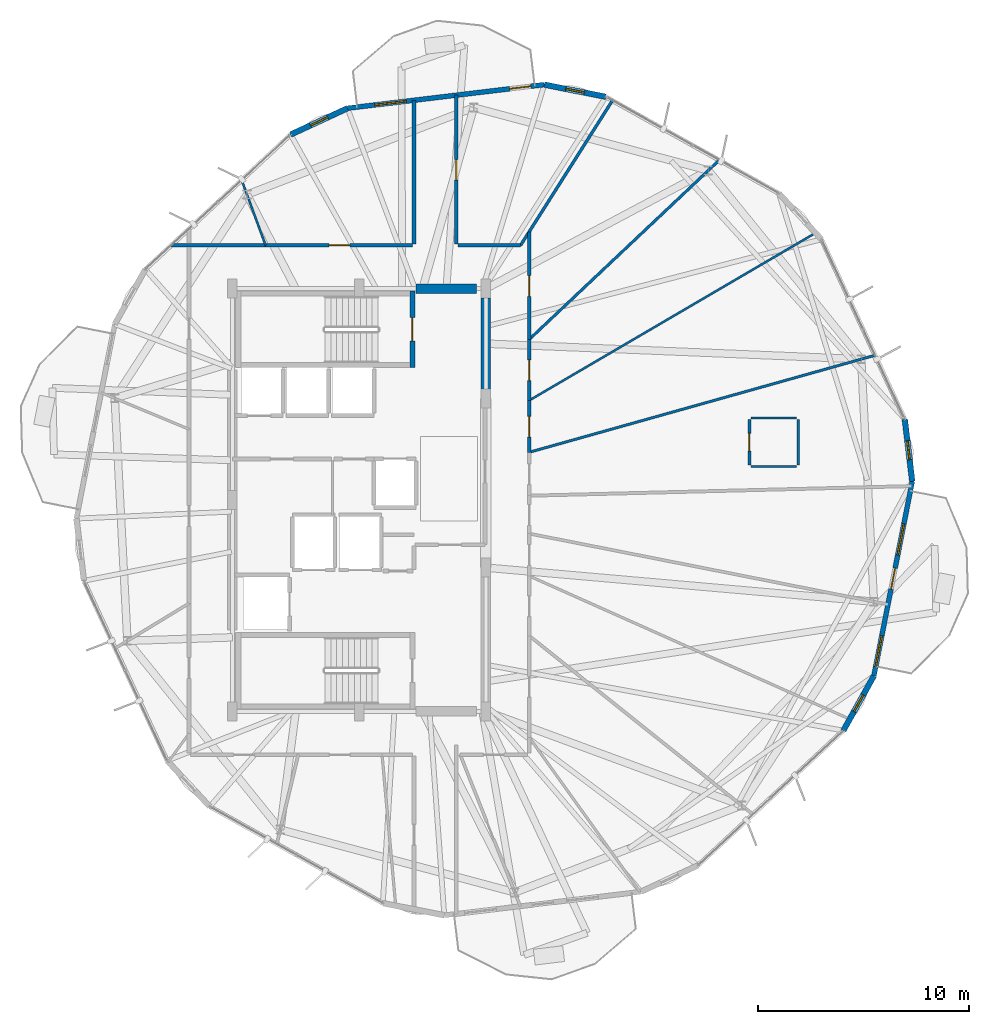
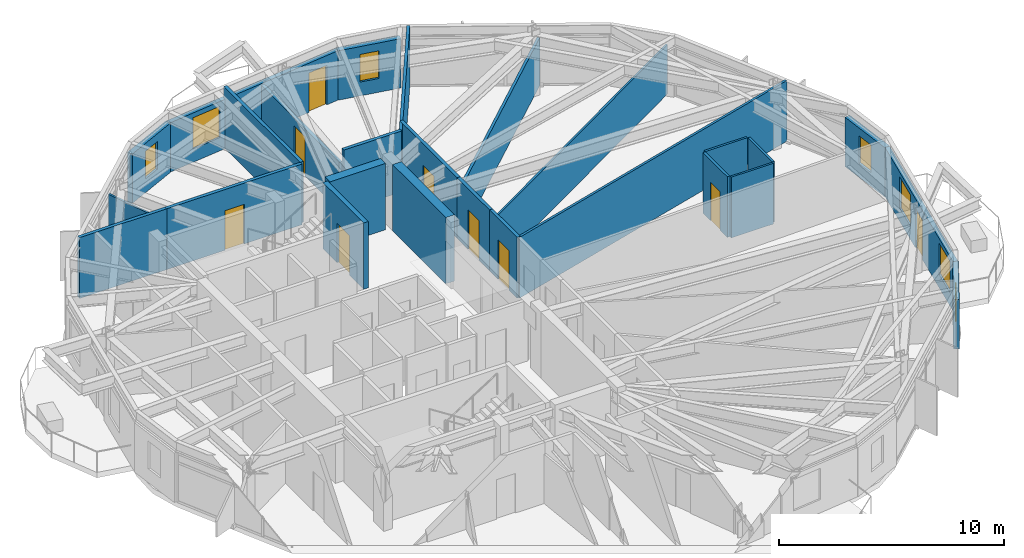
# One storey, part 21 of 25: 26 walls, 9 doors, 7 windows, 16 openings.
"""IFC4 building model written with IfcOpenShell, lengths in metres."""

from ifc_helpers import new_model, si_unit, direction, frame, frame_2d, origin, place, context, subcontext, project, spatial, rectangle, extrude, material, layer, layer_set, type_object, element, fill, save


model = new_model("IFC4")

# Units and contexts
model_context = context("Model", 3, precision=1e-05, world=origin(), true_north=direction((0.0, 1.0)))
body_context = subcontext(model_context, "Body", "Model", "MODEL_VIEW")
ifc_project = project(units=[si_unit("LENGTHUNIT", "METRE"), si_unit("AREAUNIT", "SQUARE_METRE"), si_unit("VOLUMEUNIT", "CUBIC_METRE"), si_unit("PLANEANGLEUNIT", "RADIAN"), si_unit("MASSUNIT", "GRAM", prefix="KILO")], contexts=[model_context])

# Site, building, storey
site_placement = place(None, origin())
site = spatial("IfcSite", under=ifc_project, at=site_placement, CompositionType="ELEMENT")
building_placement = place(site_placement, origin())
building = spatial("IfcBuilding", under=site, at=building_placement, Name="Soratama Intermodal Tower", CompositionType="ELEMENT")
storey_placement = place(building_placement, frame((0.0, 0.0, 190.60009765625)))
storey = spatial("IfcBuildingStorey", under=building, at=storey_placement, Name="L47", CompositionType="ELEMENT", Elevation=190.60009765625)

# Wall, openings, door, window
ifc_material_1 = material(Name="Concrete f'c 42 MPa", Category="concrete")
ifc_layer_1 = layer(ifc_material_1, 0.22998046875)
ifc_layer_set_1 = layer_set([ifc_layer_1], Name="Concrete f'c 42 MPa")
wall_type_1 = type_object("IfcWallType", Name="EW-BAL-230", PredefinedType="SOLIDWALL", material=ifc_layer_set_1)
wall_1_placement = place(storey_placement, frame((47.366455078125, 44.659423828125, 0.0), z_axis=(0.0, 0.0, 1.0), x_axis=(-0.992882132133, -0.119101098615, 0.0)))
wall_1 = element("IfcWall", 1, at=wall_1_placement, inside=storey, type_object=wall_type_1, Name="L47 Terrace Wall F02", PredefinedType="SOLIDWALL", context=body_context, shape_type="SweptSolid", body=[
    extrude(rectangle(XDim=9.38232421875, YDim=0.22998046875, at=frame_2d((4.691162109375, 0.0))), origin(), (0.0, 0.0, 1.0), 2.678955078125),
])
opening_1_placement = place(wall_1_placement, frame((0.64990234375, 0.0, 0.0)))
opening_1 = element("IfcOpeningElement", 2, at=opening_1_placement, cuts=wall_1, Name="Opening ED-2", PredefinedType="OPENING", context=body_context, shape_type="SweptSolid", body=[
    extrude(rectangle(XDim=1.0, YDim=2.14990234375, at=frame_2d((0.5, 1.074951171875))), frame((0.0, 0.125, 0.0), z_axis=(0.0, -1.0, 0.0), x_axis=(1.0, 0.0, 0.0)), (0.0, 0.0, 1.0), 0.25),
])
opening_2_placement = place(wall_1_placement, frame((6.58349609375, 0.0, 0.719970703125)))
opening_2 = element("IfcOpeningElement", 3, at=opening_2_placement, cuts=wall_1, Name="Opening WN-1", PredefinedType="OPENING", context=body_context, shape_type="SweptSolid", body=[
    extrude(rectangle(XDim=1.5, YDim=1.699951171875, at=frame_2d((0.75, 0.85009765625))), frame((0.0, 0.125, 0.0), z_axis=(0.0, -1.0, 0.0), x_axis=(1.0, 0.0, 0.0)), (0.0, 0.0, 1.0), 0.25),
])
ifc_material_2 = material(Name="Double-glazed aluminium door", Category="aluminium")
door_type_1 = type_object("IfcDoorType", Name="DR-BAL-1000", OperationType="NOTDEFINED", PredefinedType="DOOR", material=ifc_material_2)
door_1_placement = place(opening_1_placement, origin())
door_1 = element("IfcDoor", 4, at=door_1_placement, inside=storey, type_object=door_type_1, Name="L47 Balcony Door F02", OperationType="SINGLE_SWING_RIGHT", OverallHeight=2.14990234375, OverallWidth=1.0, PredefinedType="DOOR", context=body_context, shape_type="SweptSolid", body=[
    extrude(rectangle(XDim=1.0, YDim=2.14990234375, at=frame_2d((0.5, 1.074951171875))), frame((0.0, 0.02490234375, 0.0), z_axis=(0.0, -1.0, 0.0), x_axis=(1.0, 0.0, 0.0)), (0.0, 0.0, 1.0), 0.050048828125),
])
fill(opening_1, door_1)
ifc_material_3 = material(Name="Double-glazed aluminium window", Category="aluminium")
window_type_1 = type_object("IfcWindowType", Name="WN-FAC-1500", PartitioningType="SINGLE_PANEL", PredefinedType="WINDOW", material=ifc_material_3)
window_1_placement = place(opening_2_placement, origin())
window_1 = element("IfcWindow", 5, at=window_1_placement, inside=storey, type_object=window_type_1, Name="L47 Window B F02", OverallHeight=1.699951171875, OverallWidth=1.5, PartitioningType="SINGLE_PANEL", PredefinedType="WINDOW", context=body_context, shape_type="SweptSolid", body=[
    extrude(rectangle(XDim=1.5, YDim=1.699951171875, at=frame_2d((0.75, 0.85009765625))), frame((0.0, 0.030029296875, 0.0), z_axis=(0.0, -1.0, 0.0), x_axis=(1.0, 0.0, 0.0)), (0.0, 0.0, 1.0), 0.06005859375),
])
fill(opening_2, window_1)

# Wall, openings, door, windows
wall_2_placement = place(storey_placement, frame((62.966064453125, 16.67431640625, 0.0), z_axis=(0.0, 0.0, 1.0), x_axis=(0.193553277769, 0.981089765855, 0.0)))
wall_2 = element("IfcWall", 6, at=wall_2_placement, inside=storey, type_object=wall_type_1, Name="L47 Terrace Wall F09", PredefinedType="SOLIDWALL", context=body_context, shape_type="SweptSolid", body=[
    extrude(rectangle(XDim=9.382080078125, YDim=0.22998046875, at=frame_2d((4.69091796875, 0.0))), origin(), (0.0, 0.0, 1.0), 2.678955078125),
])
opening_3_placement = place(wall_2_placement, frame((4.191162109375, 0.0, 0.0)))
opening_3 = element("IfcOpeningElement", 7, at=opening_3_placement, cuts=wall_2, Name="Opening ED-2", PredefinedType="OPENING", context=body_context, shape_type="SweptSolid", body=[
    extrude(rectangle(XDim=1.0, YDim=2.14990234375, at=frame_2d((0.5, 1.074951171875))), frame((0.0, 0.125, 0.0), z_axis=(0.0, -1.0, 0.0), x_axis=(1.0, 0.0, 0.0)), (0.0, 0.0, 1.0), 0.25),
])
opening_4_placement = place(wall_2_placement, frame((0.43994140625, 0.0, 0.719970703125)))
opening_4 = element("IfcOpeningElement", 8, at=opening_4_placement, cuts=wall_2, Name="Opening WN-1", PredefinedType="OPENING", context=body_context, shape_type="SweptSolid", body=[
    extrude(rectangle(XDim=1.5, YDim=1.699951171875, at=frame_2d((0.75, 0.85009765625))), frame((0.0, 0.125, 0.0), z_axis=(0.0, -1.0, 0.0), x_axis=(1.0, 0.0, 0.0)), (0.0, 0.0, 1.0), 0.25),
])
opening_5_placement = place(wall_2_placement, frame((5.8310546875, 0.0, 0.719970703125)))
opening_5 = element("IfcOpeningElement", 9, at=opening_5_placement, cuts=wall_2, Name="Opening WN-1", PredefinedType="OPENING", context=body_context, shape_type="SweptSolid", body=[
    extrude(rectangle(XDim=1.5, YDim=1.699951171875, at=frame_2d((0.75, 0.85009765625))), frame((0.0, 0.125, 0.0), z_axis=(0.0, -1.0, 0.0), x_axis=(1.0, 0.0, 0.0)), (0.0, 0.0, 1.0), 0.25),
])
door_2_placement = place(opening_3_placement, origin())
door_2 = element("IfcDoor", 10, at=door_2_placement, inside=storey, type_object=door_type_1, Name="L47 Balcony Door F09", OperationType="SINGLE_SWING_LEFT", OverallHeight=2.14990234375, OverallWidth=1.0, PredefinedType="DOOR", context=body_context, shape_type="SweptSolid", body=[
    extrude(rectangle(XDim=1.0, YDim=2.14990234375, at=frame_2d((0.5, 1.074951171875))), frame((0.0, 0.02490234375, 0.0), z_axis=(0.0, -1.0, 0.0), x_axis=(1.0, 0.0, 0.0)), (0.0, 0.0, 1.0), 0.050048828125),
])
fill(opening_3, door_2)
window_2_placement = place(opening_4_placement, origin())
window_2 = element("IfcWindow", 11, at=window_2_placement, inside=storey, type_object=window_type_1, Name="L47 Window A F09", OverallHeight=1.699951171875, OverallWidth=1.5, PartitioningType="SINGLE_PANEL", PredefinedType="WINDOW", context=body_context, shape_type="SweptSolid", body=[
    extrude(rectangle(XDim=1.5, YDim=1.699951171875, at=frame_2d((0.75, 0.85009765625))), frame((0.0, 0.030029296875, 0.0), z_axis=(0.0, -1.0, 0.0), x_axis=(1.0, 0.0, 0.0)), (0.0, 0.0, 1.0), 0.06005859375),
])
fill(opening_4, window_2)
window_3_placement = place(opening_5_placement, origin())
window_3 = element("IfcWindow", 12, at=window_3_placement, inside=storey, type_object=window_type_1, Name="L47 Window B F09", OverallHeight=1.699951171875, OverallWidth=1.5, PartitioningType="SINGLE_PANEL", PredefinedType="WINDOW", context=body_context, shape_type="SweptSolid", body=[
    extrude(rectangle(XDim=1.5, YDim=1.699951171875, at=frame_2d((0.75, 0.85009765625))), frame((0.0, 0.030029296875, 0.0), z_axis=(0.0, -1.0, 0.0), x_axis=(1.0, 0.0, 0.0)), (0.0, 0.0, 1.0), 0.06005859375),
])
fill(opening_5, window_3)

# Wall, opening, window
ifc_material_4 = material(Name="Concrete f'c 42 MPa", Category="concrete")
ifc_layer_2 = layer(ifc_material_4, 0.27001953125)
ifc_layer_set_2 = layer_set([ifc_layer_2], Name="Concrete f'c 42 MPa")
wall_type_2 = type_object("IfcWallType", Name="EW-CRN-270", PredefinedType="SOLIDWALL", material=ifc_layer_set_2)
wall_3_placement = place(storey_placement, frame((50.277099609375, 44.085205078125, 0.0), z_axis=(0.0, 0.0, 1.0), x_axis=(-0.981090069254, 0.193551739883, 0.0)))
wall_3 = element("IfcWall", 13, at=wall_3_placement, inside=storey, type_object=wall_type_2, Name="L47 Corner Closure Wall 01", PredefinedType="SOLIDWALL", context=body_context, shape_type="SweptSolid", body=[
    extrude(rectangle(XDim=2.966796875, YDim=0.27001953125, at=frame_2d((1.4833984375, 0.0))), origin(), (0.0, 0.0, 1.0), 2.678955078125),
])
opening_6_placement = place(wall_3_placement, frame((1.033203125, 0.0, 0.75)))
opening_6 = element("IfcOpeningElement", 14, at=opening_6_placement, cuts=wall_3, Name="Opening WN-6", PredefinedType="OPENING", context=body_context, shape_type="SweptSolid", body=[
    extrude(rectangle(XDim=0.89990234375, YDim=1.5, at=frame_2d((0.449951171875, 0.75))), frame((0.0, 0.14501953125, 0.0), z_axis=(0.0, -1.0, 0.0), x_axis=(1.0, 0.0, 0.0)), (0.0, 0.0, 1.0), 0.2900390625),
])
ifc_material_5 = material(Name="Double-glazed aluminium window", Category="aluminium")
window_type_2 = type_object("IfcWindowType", Name="WN-FAC-900", PartitioningType="SINGLE_PANEL", PredefinedType="WINDOW", material=ifc_material_5)
window_4_placement = place(opening_6_placement, origin())
window_4 = element("IfcWindow", 15, at=window_4_placement, inside=storey, type_object=window_type_2, Name="L47 Corner Window 01", OverallHeight=1.5, OverallWidth=0.89990234375, PartitioningType="SINGLE_PANEL", PredefinedType="WINDOW", context=body_context, shape_type="SweptSolid", body=[
    extrude(rectangle(XDim=0.89990234375, YDim=1.5, at=frame_2d((0.449951171875, 0.75))), frame((0.0, 0.030029296875, 0.0), z_axis=(0.0, -1.0, 0.0), x_axis=(1.0, 0.0, 0.0)), (0.0, 0.0, 1.0), 0.06005859375),
])
fill(opening_6, window_4)

wall_4_placement = place(storey_placement, frame((38.051025390625, 43.5419921875, 0.0), z_axis=(0.0, 0.0, 1.0), x_axis=(-0.907501185291, -0.420049519337, 0.0)))
wall_4 = element("IfcWall", 16, at=wall_4_placement, inside=storey, type_object=wall_type_2, Name="L47 Corner Closure Wall 02", PredefinedType="SOLIDWALL", context=body_context, shape_type="SweptSolid", body=[
    extrude(rectangle(XDim=2.966552734375, YDim=0.27001953125, at=frame_2d((1.4833984375, 0.0))), origin(), (0.0, 0.0, 1.0), 2.678955078125),
])
opening_7_placement = place(wall_4_placement, frame((1.033203125, 0.0, 0.75)))
opening_7 = element("IfcOpeningElement", 17, at=opening_7_placement, cuts=wall_4, Name="Opening WN-6", PredefinedType="OPENING", context=body_context, shape_type="SweptSolid", body=[
    extrude(rectangle(XDim=0.89990234375, YDim=1.5, at=frame_2d((0.449951171875, 0.75))), frame((0.0, 0.14501953125, 0.0), z_axis=(0.0, -1.0, 0.0), x_axis=(1.0, 0.0, 0.0)), (0.0, 0.0, 1.0), 0.2900390625),
])
window_5_placement = place(opening_7_placement, origin())
window_5 = element("IfcWindow", 18, at=window_5_placement, inside=storey, type_object=window_type_2, Name="L47 Corner Window 02", OverallHeight=1.5, OverallWidth=0.89990234375, PartitioningType="SINGLE_PANEL", PredefinedType="WINDOW", context=body_context, shape_type="SweptSolid", body=[
    extrude(rectangle(XDim=0.89990234375, YDim=1.5, at=frame_2d((0.449951171875, 0.75))), frame((0.0, 0.030029296875, 0.0), z_axis=(0.0, -1.0, 0.0), x_axis=(1.0, 0.0, 0.0)), (0.0, 0.0, 1.0), 0.06005859375),
])
fill(opening_7, window_5)

wall_5_placement = place(storey_placement, frame((61.5205078125, 14.08349609375, 0.0), z_axis=(0.0, 0.0, 1.0), x_axis=(0.48724212473, 0.87326691904, 0.0)))
wall_5 = element("IfcWall", 19, at=wall_5_placement, inside=storey, type_object=wall_type_2, Name="L47 Corner Closure Wall 08", PredefinedType="SOLIDWALL", context=body_context, shape_type="SweptSolid", body=[
    extrude(rectangle(XDim=2.966796875, YDim=0.27001953125, at=frame_2d((1.4833984375, 0.0))), origin(), (0.0, 0.0, 1.0), 2.678955078125),
])
opening_8_placement = place(wall_5_placement, frame((1.033203125, 0.0, 0.75)))
opening_8 = element("IfcOpeningElement", 20, at=opening_8_placement, cuts=wall_5, Name="Opening WN-6", PredefinedType="OPENING", context=body_context, shape_type="SweptSolid", body=[
    extrude(rectangle(XDim=0.89990234375, YDim=1.5, at=frame_2d((0.449951171875, 0.75))), frame((0.0, 0.14501953125, 0.0), z_axis=(0.0, -1.0, 0.0), x_axis=(1.0, 0.0, 0.0)), (0.0, 0.0, 1.0), 0.2900390625),
])
window_6_placement = place(opening_8_placement, origin())
window_6 = element("IfcWindow", 21, at=window_6_placement, inside=storey, type_object=window_type_2, Name="L47 Corner Window 08", OverallHeight=1.5, OverallWidth=0.89990234375, PartitioningType="SINGLE_PANEL", PredefinedType="WINDOW", context=body_context, shape_type="SweptSolid", body=[
    extrude(rectangle(XDim=0.89990234375, YDim=1.5, at=frame_2d((0.449951171875, 0.75))), frame((0.0, 0.030029296875, 0.0), z_axis=(0.0, -1.0, 0.0), x_axis=(1.0, 0.0, 0.0)), (0.0, 0.0, 1.0), 0.06005859375),
])
fill(opening_8, window_6)

wall_6_placement = place(storey_placement, frame((64.781982421875, 25.87890625, 0.0), z_axis=(0.0, 0.0, 1.0), x_axis=(-0.119080319242, 0.9928846245, 0.0)))
wall_6 = element("IfcWall", 22, at=wall_6_placement, inside=storey, type_object=wall_type_2, Name="L47 Corner Closure Wall 09", PredefinedType="SOLIDWALL", context=body_context, shape_type="SweptSolid", body=[
    extrude(rectangle(XDim=2.966552734375, YDim=0.27001953125, at=frame_2d((1.4833984375, 0.0))), origin(), (0.0, 0.0, 1.0), 2.678955078125),
])
opening_9_placement = place(wall_6_placement, frame((1.033203125, 0.0, 0.75)))
opening_9 = element("IfcOpeningElement", 23, at=opening_9_placement, cuts=wall_6, Name="Opening WN-6", PredefinedType="OPENING", context=body_context, shape_type="SweptSolid", body=[
    extrude(rectangle(XDim=0.89990234375, YDim=1.5, at=frame_2d((0.449951171875, 0.75))), frame((0.0, 0.14501953125, 0.0), z_axis=(0.0, -1.0, 0.0), x_axis=(1.0, 0.0, 0.0)), (0.0, 0.0, 1.0), 0.2900390625),
])
window_7_placement = place(opening_9_placement, origin())
window_7 = element("IfcWindow", 24, at=window_7_placement, inside=storey, type_object=window_type_2, Name="L47 Corner Window 09", OverallHeight=1.5, OverallWidth=0.89990234375, PartitioningType="SINGLE_PANEL", PredefinedType="WINDOW", context=body_context, shape_type="SweptSolid", body=[
    extrude(rectangle(XDim=0.89990234375, YDim=1.5, at=frame_2d((0.449951171875, 0.75))), frame((0.0, 0.030029296875, 0.0), z_axis=(0.0, -1.0, 0.0), x_axis=(1.0, 0.0, 0.0)), (0.0, 0.0, 1.0), 0.06005859375),
])
fill(opening_9, window_7)

# Wall, opening, door
ifc_material_6 = material(Name="Fire-rated gypsum stud partition", Category="concrete")
ifc_layer_3 = layer(ifc_material_6, 0.169921875)
ifc_layer_set_3 = layer_set([ifc_layer_3], Name="Fire-rated gypsum stud partition")
wall_type_3 = type_object("IfcWallType", Name="IW-PART-R170", PredefinedType="PARTITIONING", material=ifc_layer_set_3)
wall_7_placement = place(storey_placement, frame((43.199951171875, 44.159912109375, 0.0), z_axis=(0.0, 0.0, 1.0), x_axis=(0.0, -1.0, 0.0)))
wall_7 = element("IfcWall", 25, at=wall_7_placement, inside=storey, type_object=wall_type_3, Name="L47 Partition W-L47-TP015", PredefinedType="PARTITIONING", context=body_context, shape_type="SweptSolid", body=[
    extrude(rectangle(XDim=7.039794921875, YDim=0.169921875, at=frame_2d((3.52001953125, 0.0))), origin(), (0.0, 0.0, 1.0), 2.594970703125),
])
opening_10_placement = place(wall_7_placement, frame((3.044921875, 0.0, 0.0)))
opening_10 = element("IfcOpeningElement", 26, at=opening_10_placement, cuts=wall_7, Name="Opening ID-5", PredefinedType="OPENING", context=body_context, shape_type="SweptSolid", body=[
    extrude(rectangle(XDim=0.97998046875, YDim=2.14990234375, at=frame_2d((0.489990234375, 1.074951171875))), frame((0.0, 0.094970703125, 0.0), z_axis=(0.0, -1.0, 0.0), x_axis=(1.0, 0.0, 0.0)), (0.0, 0.0, 1.0), 0.18994140625),
])
ifc_material_7 = material(Name="Solid hardwood acoustic door", Category="wood")
door_type_2 = type_object("IfcDoorType", Name="DR-OFF-980", OperationType="NOTDEFINED", PredefinedType="DOOR", material=ifc_material_7)
door_3_placement = place(opening_10_placement, origin())
door_3 = element("IfcDoor", 27, at=door_3_placement, inside=storey, type_object=door_type_2, Name="L47 Door D-L47-TP004", OperationType="SINGLE_SWING_LEFT", OverallHeight=2.14990234375, OverallWidth=0.97998046875, PredefinedType="DOOR", context=body_context, shape_type="SweptSolid", body=[
    extrude(rectangle(XDim=0.97998046875, YDim=2.14990234375, at=frame_2d((0.489990234375, 1.074951171875))), frame((0.0, 0.02490234375, 0.0), z_axis=(0.0, -1.0, 0.0), x_axis=(1.0, 0.0, 0.0)), (0.0, 0.0, 1.0), 0.050048828125),
])
fill(opening_10, door_3)

wall_8_placement = place(storey_placement, frame((34.177978515625, 37.050048828125, 0.0), z_axis=(0.0, 0.0, 1.0), x_axis=(1.0, 0.0, 0.0)))
wall_8 = element("IfcWall", 28, at=wall_8_placement, inside=storey, type_object=wall_type_3, Name="L47 Partition W-L47-TP016", PredefinedType="PARTITIONING", context=body_context, shape_type="SweptSolid", body=[
    extrude(rectangle(XDim=6.951904296875, YDim=0.169921875, at=frame_2d((3.47607421875, 0.0))), origin(), (0.0, 0.0, 1.0), 3.2998046875),
])
opening_11_placement = place(wall_8_placement, frame((3.0009765625, 0.0, 0.0)))
opening_11 = element("IfcOpeningElement", 29, at=opening_11_placement, cuts=wall_8, Name="Opening ID-5", PredefinedType="OPENING", context=body_context, shape_type="SweptSolid", body=[
    extrude(rectangle(XDim=0.97998046875, YDim=2.14990234375, at=frame_2d((0.489990234375, 1.074951171875))), frame((0.0, 0.094970703125, 0.0), z_axis=(0.0, -1.0, 0.0), x_axis=(1.0, 0.0, 0.0)), (0.0, 0.0, 1.0), 0.18994140625),
])
door_4_placement = place(opening_11_placement, origin())
door_4 = element("IfcDoor", 30, at=door_4_placement, inside=storey, type_object=door_type_2, Name="L47 Door D-L47-TP005", OperationType="SINGLE_SWING_RIGHT", OverallHeight=2.14990234375, OverallWidth=0.97998046875, PredefinedType="DOOR", context=body_context, shape_type="SweptSolid", body=[
    extrude(rectangle(XDim=0.97998046875, YDim=2.14990234375, at=frame_2d((0.489990234375, 1.074951171875))), frame((0.0, 0.02490234375, 0.0), z_axis=(0.0, -1.0, 0.0), x_axis=(1.0, 0.0, 0.0)), (0.0, 0.0, 1.0), 0.050048828125),
])
fill(opening_11, door_4)

# Wall
wall_9_placement = place(storey_placement, frame((41.199951171875, 37.1201171875, 0.0), z_axis=(0.0, 0.0, 1.0), x_axis=(0.0, 1.0, 0.0)))
element("IfcWall", 31, at=wall_9_placement, inside=storey, type_object=wall_type_3, Name="L47 Partition W-L47-TP018", PredefinedType="PARTITIONING", context=body_context, shape_type="SweptSolid", body=[
    extrude(rectangle(XDim=6.7998046875, YDim=0.169921875, at=frame_2d((3.39990234375, 0.0))), origin(), (0.0, 0.0, 1.0), 3.2998046875),
])

# Wall, opening, door
wall_10_placement = place(storey_placement, frame((46.64990234375, 37.695068359375, 0.0), z_axis=(0.0, 0.0, 1.0), x_axis=(0.0, -1.0, 0.0)))
wall_10 = element("IfcWall", 32, at=wall_10_placement, inside=storey, type_object=wall_type_3, Name="L47 Partition W-L47-TP021", PredefinedType="PARTITIONING", context=body_context, shape_type="SweptSolid", body=[
    extrude(rectangle(XDim=5.09814453125, YDim=0.169921875, at=frame_2d((2.549072265625, 0.0))), origin(), (0.0, 0.0, 1.0), 3.2998046875),
])
opening_12_placement = place(wall_10_placement, frame((2.073974609375, 0.0, 0.0)))
opening_12 = element("IfcOpeningElement", 33, at=opening_12_placement, cuts=wall_10, Name="Opening ID-5", PredefinedType="OPENING", context=body_context, shape_type="SweptSolid", body=[
    extrude(rectangle(XDim=0.97998046875, YDim=2.14990234375, at=frame_2d((0.489990234375, 1.074951171875))), frame((0.0, 0.094970703125, 0.0), z_axis=(0.0, -1.0, 0.0), x_axis=(1.0, 0.0, 0.0)), (0.0, 0.0, 1.0), 0.18994140625),
])
door_5_placement = place(opening_12_placement, origin())
door_5 = element("IfcDoor", 34, at=door_5_placement, inside=storey, type_object=door_type_2, Name="L47 Door D-L47-TP009", OperationType="SINGLE_SWING_RIGHT", OverallHeight=2.14990234375, OverallWidth=0.97998046875, PredefinedType="DOOR", context=body_context, shape_type="SweptSolid", body=[
    extrude(rectangle(XDim=0.97998046875, YDim=2.14990234375, at=frame_2d((0.489990234375, 1.074951171875))), frame((0.0, 0.02490234375, 0.0), z_axis=(0.0, -1.0, 0.0), x_axis=(1.0, 0.0, 0.0)), (0.0, 0.0, 1.0), 0.050048828125),
])
fill(opening_12, door_5)

# Walls
wall_11_placement = place(storey_placement, frame((29.701904296875, 37.050048828125, 0.0), z_axis=(0.0, 0.0, 1.0), x_axis=(1.0, 0.0, 0.0)))
element("IfcWall", 35, at=wall_11_placement, inside=storey, type_object=wall_type_3, Name="L47 Partition W-L47-TP025", PredefinedType="PARTITIONING", context=body_context, shape_type="SweptSolid", body=[
    extrude(rectangle(XDim=4.47607421875, YDim=0.169921875, at=frame_2d((2.238037109375, 0.0))), origin(), (0.0, 0.0, 1.0), 3.2998046875),
])
wall_12_placement = place(storey_placement, frame((43.27001953125, 37.050048828125, 0.0), z_axis=(0.0, 0.0, 1.0), x_axis=(1.0, 0.0, 0.0)))
element("IfcWall", 36, at=wall_12_placement, inside=storey, type_object=wall_type_3, Name="L47 Partition W-L47-TP032", PredefinedType="PARTITIONING", context=body_context, shape_type="SweptSolid", body=[
    extrude(rectangle(XDim=2.970947265625, YDim=0.169921875, at=frame_2d((1.4853515625, 0.0))), origin(), (0.0, 0.0, 1.0), 3.2998046875),
])

# Wall, opening, door
wall_13_placement = place(storey_placement, frame((46.64990234375, 32.596923828125, 0.0), z_axis=(0.0, 0.0, 1.0), x_axis=(0.0, -1.0, 0.0)))
wall_13 = element("IfcWall", 37, at=wall_13_placement, inside=storey, type_object=wall_type_3, Name="L47 Partition W-L47-TP033", PredefinedType="PARTITIONING", context=body_context, shape_type="SweptSolid", body=[
    extrude(rectangle(XDim=2.885986328125, YDim=0.169921875, at=frame_2d((1.44287109375, 0.0))), origin(), (0.0, 0.0, 1.0), 3.2998046875),
])
opening_13_placement = place(wall_13_placement, frame((0.968017578125, 0.0, 0.0)))
opening_13 = element("IfcOpeningElement", 38, at=opening_13_placement, cuts=wall_13, Name="Opening ID-5", PredefinedType="OPENING", context=body_context, shape_type="SweptSolid", body=[
    extrude(rectangle(XDim=0.97998046875, YDim=2.14990234375, at=frame_2d((0.489990234375, 1.074951171875))), frame((0.0, 0.094970703125, 0.0), z_axis=(0.0, -1.0, 0.0), x_axis=(1.0, 0.0, 0.0)), (0.0, 0.0, 1.0), 0.18994140625),
])
door_6_placement = place(opening_13_placement, origin())
door_6 = element("IfcDoor", 39, at=door_6_placement, inside=storey, type_object=door_type_2, Name="L47 Door D-L47-TP015", OperationType="SINGLE_SWING_RIGHT", OverallHeight=2.14990234375, OverallWidth=0.97998046875, PredefinedType="DOOR", context=body_context, shape_type="SweptSolid", body=[
    extrude(rectangle(XDim=0.97998046875, YDim=2.14990234375, at=frame_2d((0.489990234375, 1.074951171875))), frame((0.0, 0.02490234375, 0.0), z_axis=(0.0, -1.0, 0.0), x_axis=(1.0, 0.0, 0.0)), (0.0, 0.0, 1.0), 0.050048828125),
])
fill(opening_13, door_6)

wall_14_placement = place(storey_placement, frame((46.64990234375, 29.7109375, 0.0), z_axis=(0.0, 0.0, 1.0), x_axis=(0.0, -1.0, 0.0)))
wall_14 = element("IfcWall", 40, at=wall_14_placement, inside=storey, type_object=wall_type_3, Name="L47 Partition W-L47-TP036", PredefinedType="PARTITIONING", context=body_context, shape_type="SweptSolid", body=[
    extrude(rectangle(XDim=2.452880859375, YDim=0.169921875, at=frame_2d((1.2265625, 0.0))), origin(), (0.0, 0.0, 1.0), 3.2998046875),
])
opening_14_placement = place(wall_14_placement, frame((0.7509765625, 0.0, 0.0)))
opening_14 = element("IfcOpeningElement", 41, at=opening_14_placement, cuts=wall_14, Name="Opening ID-5", PredefinedType="OPENING", context=body_context, shape_type="SweptSolid", body=[
    extrude(rectangle(XDim=0.97998046875, YDim=2.14990234375, at=frame_2d((0.489990234375, 1.074951171875))), frame((0.0, 0.094970703125, 0.0), z_axis=(0.0, -1.0, 0.0), x_axis=(1.0, 0.0, 0.0)), (0.0, 0.0, 1.0), 0.18994140625),
])
door_7_placement = place(opening_14_placement, origin())
door_7 = element("IfcDoor", 42, at=door_7_placement, inside=storey, type_object=door_type_2, Name="L47 Door D-L47-TP017", OperationType="SINGLE_SWING_RIGHT", OverallHeight=2.14990234375, OverallWidth=0.97998046875, PredefinedType="DOOR", context=body_context, shape_type="SweptSolid", body=[
    extrude(rectangle(XDim=0.97998046875, YDim=2.14990234375, at=frame_2d((0.489990234375, 1.074951171875))), frame((0.0, 0.02490234375, 0.0), z_axis=(0.0, -1.0, 0.0), x_axis=(1.0, 0.0, 0.0)), (0.0, 0.0, 1.0), 0.050048828125),
])
fill(opening_14, door_7)

# Walls
ifc_material_8 = material(Name="Fire-rated gypsum stud partition", Category="concrete")
ifc_layer_4 = layer(ifc_material_8, 0.10009765625)
ifc_layer_set_4 = layer_set([ifc_layer_4], Name="Fire-rated gypsum stud partition")
wall_type_4 = type_object("IfcWallType", Name="IW-PART-S100", PredefinedType="PARTITIONING", material=ifc_layer_set_4)
wall_15_placement = place(storey_placement, frame((46.64990234375, 29.7109375, 0.0), z_axis=(0.0, 0.0, 1.0), x_axis=(0.863122930512, 0.504993868106, 0.0)))
element("IfcWall", 43, at=wall_15_placement, inside=storey, type_object=wall_type_4, Name="L47 Partition W-L47-TP005", PredefinedType="PARTITIONING", context=body_context, shape_type="SweptSolid", body=[
    extrude(rectangle(XDim=15.770751953125, YDim=0.10009765625, at=frame_2d((7.88525390625, 0.0))), origin(), (0.0, 0.0, 1.0), 2.677978515625),
])
wall_16_placement = place(storey_placement, frame((34.177978515625, 37.050048828125, 0.0), z_axis=(0.0, 0.0, 1.0), x_axis=(-0.344730941126, 0.938701538419, 0.0)))
element("IfcWall", 44, at=wall_16_placement, inside=storey, type_object=wall_type_4, Name="L47 Partition W-L47-TP030", PredefinedType="PARTITIONING", context=body_context, shape_type="SweptSolid", body=[
    extrude(rectangle(XDim=3.298095703125, YDim=0.10009765625, at=frame_2d((1.64892578125, 0.0))), origin(), (0.0, 0.0, 1.0), 2.594970703125),
])
wall_17_placement = place(storey_placement, frame((57.14599609375, 26.583984375, 0.0), z_axis=(0.0, 0.0, 1.0), x_axis=(1.0, 0.0, 0.0)))
element("IfcWall", 45, at=wall_17_placement, inside=storey, type_object=wall_type_4, Name="L47 Partition W-L47-TP040", PredefinedType="PARTITIONING", context=body_context, shape_type="SweptSolid", body=[
    extrude(rectangle(XDim=2.159912109375, YDim=0.10009765625, at=frame_2d((1.080078125, 0.0))), origin(), (0.0, 0.0, 1.0), 3.2998046875),
])
ifc_material_9 = material(Name="Fire-rated gypsum stud partition", Category="concrete")
ifc_layer_5 = layer(ifc_material_9, 0.110107421875)
ifc_layer_set_5 = layer_set([ifc_layer_5], Name="Fire-rated gypsum stud partition")
wall_type_5 = type_object("IfcWallType", Name="IW-PART-S110", PredefinedType="PARTITIONING", material=ifc_layer_set_5)
wall_18_placement = place(storey_placement, frame((59.305908203125, 28.884033203125, 0.0), z_axis=(0.0, 0.0, 1.0), x_axis=(-1.0, 0.0, 0.0)))
element("IfcWall", 46, at=wall_18_placement, inside=storey, type_object=wall_type_5, Name="L47 Partition W-L47-TP039", PredefinedType="PARTITIONING", context=body_context, shape_type="SweptSolid", body=[
    extrude(rectangle(XDim=2.159912109375, YDim=0.110107421875, at=frame_2d((1.080078125, 0.0))), origin(), (0.0, 0.0, 1.0), 3.2998046875),
])
ifc_material_10 = material(Name="Fire-rated gypsum stud partition", Category="concrete")
ifc_layer_6 = layer(ifc_material_10, 0.1201171875)
ifc_layer_set_6 = layer_set([ifc_layer_6], Name="Fire-rated gypsum stud partition")
wall_type_6 = type_object("IfcWallType", Name="IW-PART-S120", PredefinedType="PARTITIONING", material=ifc_layer_set_6)
wall_19_placement = place(storey_placement, frame((46.64990234375, 27.258056640625, 0.0), z_axis=(0.0, 0.0, 1.0), x_axis=(0.962850938161, 0.270033462525, 0.0)))
element("IfcWall", 47, at=wall_19_placement, inside=storey, type_object=wall_type_6, Name="L47 Partition W-L47-TP003", PredefinedType="PARTITIONING", context=body_context, shape_type="SweptSolid", body=[
    extrude(rectangle(XDim=17.009033203125, YDim=0.1201171875, at=frame_2d((8.50439453125, 0.0))), origin(), (0.0, 0.0, 1.0), 3.2998046875),
])
wall_20_placement = place(storey_placement, frame((59.3759765625, 26.654052734375, 0.0), z_axis=(0.0, 0.0, 1.0), x_axis=(0.0, 1.0, 0.0)))
element("IfcWall", 48, at=wall_20_placement, inside=storey, type_object=wall_type_6, Name="L47 Partition W-L47-TP038", PredefinedType="PARTITIONING", context=body_context, shape_type="SweptSolid", body=[
    extrude(rectangle(XDim=2.159912109375, YDim=0.1201171875, at=frame_2d((1.080078125, 0.0))), origin(), (0.0, 0.0, 1.0), 3.2998046875),
])
ifc_material_11 = material(Name="Fire-rated gypsum stud partition", Category="concrete")
ifc_layer_7 = layer(ifc_material_11, 0.1298828125)
ifc_layer_set_7 = layer_set([ifc_layer_7], Name="Fire-rated gypsum stud partition")
wall_type_7 = type_object("IfcWallType", Name="IW-PART-S130", PredefinedType="PARTITIONING", material=ifc_layer_set_7)
wall_21_placement = place(storey_placement, frame((46.64990234375, 32.596923828125, 0.0), z_axis=(0.0, 0.0, 1.0), x_axis=(0.727340314182, 0.686276961121, 0.0)))
element("IfcWall", 49, at=wall_21_placement, inside=storey, type_object=wall_type_7, Name="L47 Partition W-L47-TP007", PredefinedType="PARTITIONING", context=body_context, shape_type="SweptSolid", body=[
    extrude(rectangle(XDim=12.37255859375, YDim=0.1298828125, at=frame_2d((6.186279296875, 0.0))), origin(), (0.0, 0.0, 1.0), 2.594970703125),
])

# Wall, opening, door
wall_22_placement = place(storey_placement, frame((57.075927734375, 28.81396484375, 0.0), z_axis=(0.0, 0.0, 1.0), x_axis=(0.0, -1.0, 0.0)))
wall_22 = element("IfcWall", 50, at=wall_22_placement, inside=storey, type_object=wall_type_7, Name="L47 Partition W-L47-TP037", PredefinedType="PARTITIONING", context=body_context, shape_type="SweptSolid", body=[
    extrude(rectangle(XDim=2.159912109375, YDim=0.1298828125, at=frame_2d((1.080078125, 0.0))), origin(), (0.0, 0.0, 1.0), 3.2998046875),
])
opening_15_placement = place(wall_22_placement, frame((0.655029296875, 0.0, 0.0)))
opening_15 = element("IfcOpeningElement", 51, at=opening_15_placement, cuts=wall_22, Name="Opening ID-4", PredefinedType="OPENING", context=body_context, shape_type="SweptSolid", body=[
    extrude(rectangle(XDim=0.85009765625, YDim=2.10009765625, at=frame_2d((0.425048828125, 1.050048828125))), frame((0.0, 0.074951171875, 0.0), z_axis=(0.0, -1.0, 0.0), x_axis=(1.0, 0.0, 0.0)), (0.0, 0.0, 1.0), 0.14990234375),
])
ifc_material_12 = material(Name="Solid hardwood acoustic door", Category="wood")
door_type_3 = type_object("IfcDoorType", Name="DR-BATH-850", OperationType="NOTDEFINED", PredefinedType="DOOR", material=ifc_material_12)
door_8_placement = place(opening_15_placement, origin())
door_8 = element("IfcDoor", 52, at=door_8_placement, inside=storey, type_object=door_type_3, Name="L47 Door D-L47-TP018", OperationType="SINGLE_SWING_LEFT", OverallHeight=2.10009765625, OverallWidth=0.85009765625, PredefinedType="DOOR", context=body_context, shape_type="SweptSolid", body=[
    extrude(rectangle(XDim=0.85009765625, YDim=2.10009765625, at=frame_2d((0.425048828125, 1.050048828125))), frame((0.0, 0.02490234375, 0.0), z_axis=(0.0, -1.0, 0.0), x_axis=(1.0, 0.0, 0.0)), (0.0, 0.0, 1.0), 0.050048828125),
])
fill(opening_15, door_8)

# Walls
ifc_material_13 = material(Name="Fire-rated gypsum stud partition", Category="concrete")
ifc_layer_8 = layer(ifc_material_13, 0.139892578125)
ifc_layer_set_8 = layer_set([ifc_layer_8], Name="Fire-rated gypsum stud partition")
wall_type_8 = type_object("IfcWallType", Name="IW-PART-S140", PredefinedType="PARTITIONING", material=ifc_layer_set_8)
wall_23_placement = place(storey_placement, frame((46.240966796875, 37.050048828125, 0.0), z_axis=(0.0, 0.0, 1.0), x_axis=(0.535676911854, 0.844423025566, 0.0)))
element("IfcWall", 53, at=wall_23_placement, inside=storey, type_object=wall_type_8, Name="L47 Partition W-L47-TP011", PredefinedType="PARTITIONING", context=body_context, shape_type="SweptSolid", body=[
    extrude(rectangle(XDim=8.12255859375, YDim=0.139892578125, at=frame_2d((4.061279296875, 0.0))), origin(), (0.0, 0.0, 1.0), 3.2998046875),
])
ifc_material_14 = material(Name="Concrete f'c 56 MPa", Category="concrete")
ifc_layer_9 = layer(ifc_material_14, 0.449951171875)
ifc_layer_set_9 = layer_set([ifc_layer_9], Name="Concrete f'c 56 MPa")
wall_type_9 = type_object("IfcWallType", Name="SW-CORE-450", PredefinedType="SHEAR", material=ifc_layer_set_9)
wall_24_placement = place(storey_placement, frame((41.300048828125, 35.0, 0.0), z_axis=(0.0, 0.0, 1.0), x_axis=(1.0, 0.0, 0.0)))
element("IfcWall", 54, at=wall_24_placement, inside=storey, type_object=wall_type_9, Name="L47 Core Shear Wall CW-NE", PredefinedType="SHEAR", context=body_context, shape_type="SweptSolid", body=[
    extrude(rectangle(XDim=2.849853515625, YDim=0.449951171875, at=frame_2d((1.4248046875, 0.0))), origin(), (0.0, 0.0, 1.0), 3.599853515625),
])
wall_25_placement = place(storey_placement, frame((44.60009765625, 29.800048828125, 0.0), z_axis=(0.0, 0.0, 1.0), x_axis=(0.0, 1.0, 0.0)))
element("IfcWall", 55, at=wall_25_placement, inside=storey, type_object=wall_type_9, Name="L47 Core Shear Wall CW-EN", PredefinedType="SHEAR", context=body_context, shape_type="SweptSolid", body=[
    extrude(rectangle(XDim=4.75, YDim=0.449951171875, at=frame_2d((2.375, 0.0))), origin(), (0.0, 0.0, 1.0), 3.599853515625),
])

# Wall, opening, door
ifc_material_15 = material(Name="Concrete f'c 56 MPa", Category="concrete")
ifc_layer_10 = layer(ifc_material_15, 0.239990234375)
ifc_layer_set_10 = layer_set([ifc_layer_10], Name="Concrete f'c 56 MPa")
wall_type_10 = type_object("IfcWallType", Name="SW-STAIR-240", PredefinedType="SHEAR", material=ifc_layer_set_10)
wall_26_placement = place(storey_placement, frame((41.1201171875, 31.260009765625, 0.0), z_axis=(0.0, 0.0, 1.0), x_axis=(0.0, 1.0, 0.0)))
wall_26 = element("IfcWall", 56, at=wall_26_placement, inside=storey, type_object=wall_type_10, Name="L47 ST-2 Shaft Shear Wall E", PredefinedType="SHEAR", context=body_context, shape_type="SweptSolid", body=[
    extrude(rectangle(XDim=3.6298828125, YDim=0.239990234375, at=frame_2d((1.81494140625, 0.0))), origin(), (0.0, 0.0, 1.0), 3.599853515625),
])
opening_16_placement = place(wall_26_placement, frame((1.2548828125, 0.0, 0.0)))
opening_16 = element("IfcOpeningElement", 57, at=opening_16_placement, cuts=wall_26, Name="Opening SD-1", PredefinedType="OPENING", context=body_context, shape_type="SweptSolid", body=[
    extrude(rectangle(XDim=1.1201171875, YDim=2.14990234375, at=frame_2d((0.56005859375, 1.074951171875))), frame((0.0, 0.1298828125, 0.0), z_axis=(0.0, -1.0, 0.0), x_axis=(1.0, 0.0, 0.0)), (0.0, 0.0, 1.0), 0.260009765625),
])
ifc_material_16 = material(Name="Steel fire door", Category="steel")
door_type_4 = type_object("IfcDoorType", Name="DR-STAIR-FD90", OperationType="NOTDEFINED", PredefinedType="DOOR", material=ifc_material_16)
door_9_placement = place(opening_16_placement, origin())
door_9 = element("IfcDoor", 58, at=door_9_placement, inside=storey, type_object=door_type_4, Name="L47 ST-2 Exit Stair Door", OperationType="SINGLE_SWING_RIGHT", OverallHeight=2.14990234375, OverallWidth=1.1201171875, PredefinedType="DOOR", context=body_context, shape_type="SweptSolid", body=[
    extrude(rectangle(XDim=1.1201171875, YDim=2.14990234375, at=frame_2d((0.56005859375, 1.074951171875))), frame((0.0, 0.02490234375, 0.0), z_axis=(0.0, -1.0, 0.0), x_axis=(1.0, 0.0, 0.0)), (0.0, 0.0, 1.0), 0.050048828125),
])
fill(opening_16, door_9)

save(model, "model.ifc")
